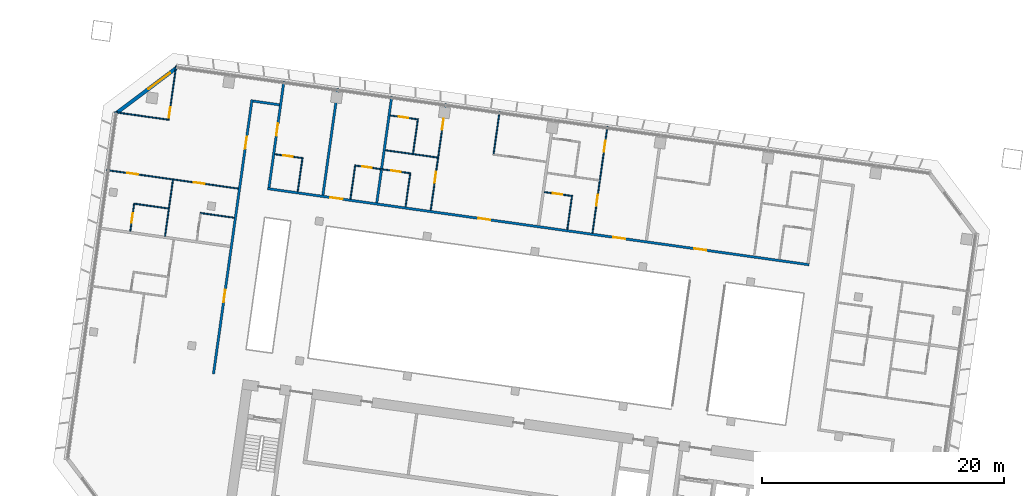
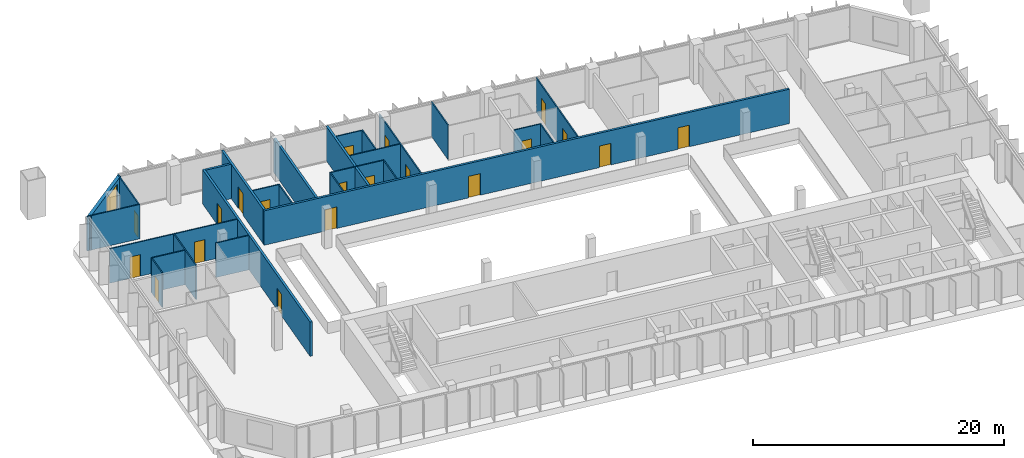
# One storey, part 16 of 27: 27 walls, 20 doors, 1 window, 21 openings.
"""IFC4 building model written with IfcOpenShell, lengths in metres."""

from ifc_helpers import new_model, si_unit, direction, frame, frame_2d, origin, place, context, subcontext, project, spatial, rectangle, extrude, material, layer, layer_set, type_object, element, fill, save


model = new_model("IFC4")

# Units and contexts
model_context = context("Model", 3, precision=1e-05, world=origin(), true_north=direction((0.0, 1.0)))
body_context = subcontext(model_context, "Body", "Model", "MODEL_VIEW")
ifc_project = project(units=[si_unit("LENGTHUNIT", "METRE"), si_unit("AREAUNIT", "SQUARE_METRE"), si_unit("VOLUMEUNIT", "CUBIC_METRE"), si_unit("PLANEANGLEUNIT", "RADIAN"), si_unit("MASSUNIT", "GRAM", prefix="KILO")], contexts=[model_context])

# Site, building, storey
site_placement = place(None, origin())
site = spatial("IfcSite", under=ifc_project, at=site_placement, CompositionType="ELEMENT")
building_placement = place(site_placement, origin())
building = spatial("IfcBuilding", under=site, at=building_placement, Name="Mirante Cascada Hotel Towers", CompositionType="ELEMENT")
storey_placement = place(building_placement, frame((0.0, 0.0, 117.7)))
storey = spatial("IfcBuildingStorey", under=building, at=storey_placement, Name="L26", CompositionType="ELEMENT", Elevation=117.7)

# Wall, openings, doors
ifc_material_1 = material(Name="Fire-rated plasterboard on metal studs")
ifc_layer_1 = layer(ifc_material_1, 0.2)
ifc_layer_set_1 = layer_set([ifc_layer_1], Name="Compartment wall 200 EI 120")
wall_type_1 = type_object("IfcWallType", Name="Compartment wall 200 EI 120", PredefinedType="PARTITIONING", material=ifc_layer_set_1)
wall_1_placement = place(storey_placement, frame((-86.638, 16.0582, 0.0), z_axis=(0.0, 0.0, 1.0), x_axis=(0.9902681, -0.1391726, 0.0)))
wall_1 = element("IfcWall", 1, at=wall_1_placement, inside=storey, type_object=wall_type_1, Name="Wall 1-L26-16", PredefinedType="PARTITIONING", context=body_context, shape_type="SweptSolid", body=[
    extrude(rectangle(XDim=45.2, YDim=0.2, at=frame_2d((22.6, 0.0))), origin(), (0.0, 0.0, 1.0), 3.35),
])
opening_1_placement = place(wall_1_placement, frame((35.6, 0.0, 0.0)))
opening_1 = element("IfcOpeningElement", 2, at=opening_1_placement, cuts=wall_1, Name="Opening D1-L26-09", PredefinedType="OPENING", context=body_context, shape_type="SweptSolid", body=[
    extrude(rectangle(XDim=1.0, YDim=2.1, at=frame_2d((0.5, 1.05))), frame((0.0, 0.1, 0.0), z_axis=(0.0, -1.0, 0.0), x_axis=(1.0, 0.0, 0.0)), (0.0, 0.0, 1.0), 0.2),
])
opening_2_placement = place(wall_1_placement, frame((28.85, 0.0, 0.0)))
opening_2 = element("IfcOpeningElement", 3, at=opening_2_placement, cuts=wall_1, Name="Opening D1-L26-10", PredefinedType="OPENING", context=body_context, shape_type="SweptSolid", body=[
    extrude(rectangle(XDim=1.0, YDim=2.1, at=frame_2d((0.5, 1.05))), frame((0.0, 0.1, 0.0), z_axis=(0.0, -1.0, 0.0), x_axis=(1.0, 0.0, 0.0)), (0.0, 0.0, 1.0), 0.2),
])
opening_3_placement = place(wall_1_placement, frame((17.6, 0.0, 0.0)))
opening_3 = element("IfcOpeningElement", 4, at=opening_3_placement, cuts=wall_1, Name="Opening D1-L26-11", PredefinedType="OPENING", context=body_context, shape_type="SweptSolid", body=[
    extrude(rectangle(XDim=1.0, YDim=2.1, at=frame_2d((0.5, 1.05))), frame((0.0, 0.1, 0.0), z_axis=(0.0, -1.0, 0.0), x_axis=(1.0, 0.0, 0.0)), (0.0, 0.0, 1.0), 0.2),
])
opening_4_placement = place(wall_1_placement, frame((5.25, 0.0, 0.0)))
opening_4 = element("IfcOpeningElement", 5, at=opening_4_placement, cuts=wall_1, Name="Opening D1-L26-12", PredefinedType="OPENING", context=body_context, shape_type="SweptSolid", body=[
    extrude(rectangle(XDim=1.0, YDim=2.1, at=frame_2d((0.5, 1.05))), frame((0.0, 0.1, 0.0), z_axis=(0.0, -1.0, 0.0), x_axis=(1.0, 0.0, 0.0)), (0.0, 0.0, 1.0), 0.2),
])
ifc_material_2 = material(Name="Fire-rated timber door leaf", Category="wood")
door_type_1 = type_object("IfcDoorType", Name="Entrance door DG1 1000x2100 EI 60", OperationType="SINGLE_SWING_LEFT", PredefinedType="DOOR", material=ifc_material_2)
door_1_placement = place(opening_1_placement, origin())
door_1 = element("IfcDoor", 6, at=door_1_placement, inside=storey, type_object=door_type_1, Name="Door D1-L26-09", OperationType="SINGLE_SWING_LEFT", OverallHeight=2.1, OverallWidth=1.0, PredefinedType="DOOR", context=body_context, shape_type="SweptSolid", body=[
    extrude(rectangle(XDim=1.0, YDim=2.1, at=frame_2d((0.5, 1.05))), frame((0.0, 0.025, 0.0), z_axis=(0.0, -1.0, 0.0), x_axis=(1.0, 0.0, 0.0)), (0.0, 0.0, 1.0), 0.05),
])
fill(opening_1, door_1)
door_2_placement = place(opening_2_placement, origin())
door_2 = element("IfcDoor", 7, at=door_2_placement, inside=storey, type_object=door_type_1, Name="Door D1-L26-10", OperationType="SINGLE_SWING_LEFT", OverallHeight=2.1, OverallWidth=1.0, PredefinedType="DOOR", context=body_context, shape_type="SweptSolid", body=[
    extrude(rectangle(XDim=1.0, YDim=2.1, at=frame_2d((0.5, 1.05))), frame((0.0, 0.025, 0.0), z_axis=(0.0, -1.0, 0.0), x_axis=(1.0, 0.0, 0.0)), (0.0, 0.0, 1.0), 0.05),
])
fill(opening_2, door_2)
door_3_placement = place(opening_3_placement, origin())
door_3 = element("IfcDoor", 8, at=door_3_placement, inside=storey, type_object=door_type_1, Name="Door D1-L26-11", OperationType="SINGLE_SWING_LEFT", OverallHeight=2.1, OverallWidth=1.0, PredefinedType="DOOR", context=body_context, shape_type="SweptSolid", body=[
    extrude(rectangle(XDim=1.0, YDim=2.1, at=frame_2d((0.5, 1.05))), frame((0.0, 0.025, 0.0), z_axis=(0.0, -1.0, 0.0), x_axis=(1.0, 0.0, 0.0)), (0.0, 0.0, 1.0), 0.05),
])
fill(opening_3, door_3)
door_4_placement = place(opening_4_placement, origin())
door_4 = element("IfcDoor", 9, at=door_4_placement, inside=storey, type_object=door_type_1, Name="Door D1-L26-12", OperationType="SINGLE_SWING_LEFT", OverallHeight=2.1, OverallWidth=1.0, PredefinedType="DOOR", context=body_context, shape_type="SweptSolid", body=[
    extrude(rectangle(XDim=1.0, YDim=2.1, at=frame_2d((0.5, 1.05))), frame((0.0, 0.025, 0.0), z_axis=(0.0, -1.0, 0.0), x_axis=(1.0, 0.0, 0.0)), (0.0, 0.0, 1.0), 0.05),
])
fill(opening_4, door_4)

# Walls
wall_2_placement = place(storey_placement, frame((-87.8424, 23.2963, 0.0), z_axis=(0.0, 0.0, 1.0), x_axis=(0.990267, -0.139181, 0.0)))
element("IfcWall", 10, at=wall_2_placement, inside=storey, type_object=wall_type_1, Name="Wall 1-L26-28", PredefinedType="PARTITIONING", context=body_context, shape_type="SweptSolid", body=[
    extrude(rectangle(XDim=2.2, YDim=0.2, at=frame_2d((1.1, 0.0))), origin(), (0.0, 0.0, 1.0), 3.35),
])
wall_3_placement = place(storey_placement, frame((-77.6126, 14.8908, 0.0), z_axis=(0.0, 0.0, 1.0), x_axis=(0.1391684, 0.9902687, 0.0)))
element("IfcWall", 11, at=wall_3_placement, inside=storey, type_object=wall_type_1, Name="Wall 1-L26-51", PredefinedType="PARTITIONING", context=body_context, shape_type="SweptSolid", body=[
    extrude(rectangle(XDim=8.9, YDim=0.2, at=frame_2d((4.45, 0.0))), origin(), (0.0, 0.0, 1.0), 3.35),
])
wall_4_placement = place(storey_placement, frame((-82.0688, 15.5171, 0.0), z_axis=(0.0, 0.0, 1.0), x_axis=(0.13917, 0.9902685, 0.0)))
element("IfcWall", 12, at=wall_4_placement, inside=storey, type_object=wall_type_1, Name="Wall 1-L26-53", PredefinedType="PARTITIONING", context=body_context, shape_type="SweptSolid", body=[
    extrude(rectangle(XDim=8.8999, YDim=0.2, at=frame_2d((4.45, 0.0))), origin(), (0.0, 0.0, 1.0), 3.35),
])

# Wall, opening, door
wall_5_placement = place(storey_placement, frame((-86.525, 16.1433, 0.0), z_axis=(0.0, 0.0, 1.0), x_axis=(0.1391684, 0.9902687, 0.0)))
wall_5 = element("IfcWall", 13, at=wall_5_placement, inside=storey, type_object=wall_type_1, Name="Wall 1-L26-55", PredefinedType="PARTITIONING", context=body_context, shape_type="SweptSolid", body=[
    extrude(rectangle(XDim=8.9, YDim=0.2, at=frame_2d((4.45, 0.0))), origin(), (0.0, 0.0, 1.0), 3.35),
])
opening_5_placement = place(wall_5_placement, frame((4.35, 0.0, 0.0)))
opening_5 = element("IfcOpeningElement", 14, at=opening_5_placement, cuts=wall_5, Name="Opening D1-L26-34", PredefinedType="OPENING", context=body_context, shape_type="SweptSolid", body=[
    extrude(rectangle(XDim=1.0, YDim=2.1, at=frame_2d((0.5, 1.05))), frame((0.0, 0.1, 0.0), z_axis=(0.0, -1.0, 0.0), x_axis=(1.0, 0.0, 0.0)), (0.0, 0.0, 1.0), 0.2),
])
door_5_placement = place(opening_5_placement, frame((1.0, 0.0, 0.0), z_axis=(0.0, 0.0, 1.0), x_axis=(-1.0, 0.0, 0.0)))
door_5 = element("IfcDoor", 15, at=door_5_placement, inside=storey, type_object=door_type_1, Name="Door D1-L26-34", OperationType="SINGLE_SWING_RIGHT", OverallHeight=2.1, OverallWidth=1.0, PredefinedType="DOOR", context=body_context, shape_type="SweptSolid", body=[
    extrude(rectangle(XDim=1.0, YDim=2.1, at=frame_2d((0.5, 1.05))), frame((0.0, 0.025, 0.0), z_axis=(0.0, -1.0, 0.0), x_axis=(1.0, 0.0, 0.0)), (0.0, 0.0, 1.0), 0.05),
])
fill(opening_5, door_5)

# Wall, openings, doors
wall_6_placement = place(storey_placement, frame((-87.9275, 23.4092, 0.0), z_axis=(0.0, 0.0, 1.0), x_axis=(-0.1391706, -0.9902684, 0.0)))
wall_6 = element("IfcWall", 16, at=wall_6_placement, inside=storey, type_object=wall_type_1, Name="Wall 1-L26-56", PredefinedType="PARTITIONING", context=body_context, shape_type="SweptSolid", body=[
    extrude(rectangle(XDim=22.9, YDim=0.2, at=frame_2d((11.45, 0.0))), origin(), (0.0, 0.0, 1.0), 3.35),
])
opening_6_placement = place(wall_6_placement, frame((15.8834, 0.0, 0.0)))
opening_6 = element("IfcOpeningElement", 17, at=opening_6_placement, cuts=wall_6, Name="Opening D1-L26-35", PredefinedType="OPENING", context=body_context, shape_type="SweptSolid", body=[
    extrude(rectangle(XDim=1.0, YDim=2.1, at=frame_2d((0.5, 1.05))), frame((0.0, 0.1, 0.0), z_axis=(0.0, -1.0, 0.0), x_axis=(1.0, 0.0, 0.0)), (0.0, 0.0, 1.0), 0.2),
])
opening_7_placement = place(wall_6_placement, frame((3.1, 0.0, 0.0)))
opening_7 = element("IfcOpeningElement", 18, at=opening_7_placement, cuts=wall_6, Name="Opening D1-L26-36", PredefinedType="OPENING", context=body_context, shape_type="SweptSolid", body=[
    extrude(rectangle(XDim=1.0, YDim=2.1, at=frame_2d((0.5, 1.05))), frame((0.0, 0.1, 0.0), z_axis=(0.0, -1.0, 0.0), x_axis=(1.0, 0.0, 0.0)), (0.0, 0.0, 1.0), 0.2),
])
door_6_placement = place(opening_6_placement, frame((1.0, 0.0, 0.0), z_axis=(0.0, 0.0, 1.0), x_axis=(-1.0, 0.0, 0.0)))
door_6 = element("IfcDoor", 19, at=door_6_placement, inside=storey, type_object=door_type_1, Name="Door D1-L26-35", OperationType="SINGLE_SWING_RIGHT", OverallHeight=2.1, OverallWidth=1.0, PredefinedType="DOOR", context=body_context, shape_type="SweptSolid", body=[
    extrude(rectangle(XDim=1.0, YDim=2.1, at=frame_2d((0.5, 1.05))), frame((0.0, 0.025, 0.0), z_axis=(0.0, -1.0, 0.0), x_axis=(1.0, 0.0, 0.0)), (0.0, 0.0, 1.0), 0.05),
])
fill(opening_6, door_6)
door_7_placement = place(opening_7_placement, frame((1.0, 0.0, 0.0), z_axis=(0.0, 0.0, 1.0), x_axis=(-1.0, 0.0, 0.0)))
door_7 = element("IfcDoor", 20, at=door_7_placement, inside=storey, type_object=door_type_1, Name="Door D1-L26-36", OperationType="SINGLE_SWING_RIGHT", OverallHeight=2.1, OverallWidth=1.0, PredefinedType="DOOR", context=body_context, shape_type="SweptSolid", body=[
    extrude(rectangle(XDim=1.0, YDim=2.1, at=frame_2d((0.5, 1.05))), frame((0.0, 0.025, 0.0), z_axis=(0.0, -1.0, 0.0), x_axis=(1.0, 0.0, 0.0)), (0.0, 0.0, 1.0), 0.05),
])
fill(opening_7, door_7)

# Walls
ifc_material_3 = material(Name="Plasterboard on metal studs")
ifc_layer_2 = layer(ifc_material_3, 0.1)
ifc_layer_set_2 = layer_set([ifc_layer_2], Name="Partition 100")
wall_type_2 = type_object("IfcWallType", Name="Partition 100", PredefinedType="PARTITIONING", material=ifc_layer_set_2)
wall_7_placement = place(storey_placement, frame((-92.2219, 14.0491, 0.0), z_axis=(0.0, 0.0, 1.0), x_axis=(0.9902697, -0.1391613, 0.0)))
element("IfcWall", 21, at=wall_7_placement, inside=storey, type_object=wall_type_2, Name="Wall 1-L26-12", PredefinedType="PARTITIONING", context=body_context, shape_type="SweptSolid", body=[
    extrude(rectangle(XDim=2.8499, YDim=0.1, at=frame_2d((1.425, 0.0))), origin(), (0.0, 0.0, 1.0), 3.35),
])
wall_8_placement = place(storey_placement, frame((-94.8461, 14.4179, 0.0), z_axis=(0.0, 0.0, 1.0), x_axis=(-0.9902683, 0.1391714, 0.0)))
element("IfcWall", 22, at=wall_8_placement, inside=storey, type_object=wall_type_2, Name="Wall 1-L26-13", PredefinedType="PARTITIONING", context=body_context, shape_type="SweptSolid", body=[
    extrude(rectangle(XDim=2.9, YDim=0.1, at=frame_2d((1.45, 0.0))), origin(), (0.0, 0.0, 1.0), 3.35),
])

# Wall, openings, doors
wall_9_placement = place(storey_placement, frame((-89.061, 16.0622, 0.0), z_axis=(0.0, 0.0, 1.0), x_axis=(-0.9902682, 0.1391721, 0.0)))
wall_9 = element("IfcWall", 23, at=wall_9_placement, inside=storey, type_object=wall_type_2, Name="Wall 1-L26-15", PredefinedType="PARTITIONING", context=body_context, shape_type="SweptSolid", body=[
    extrude(rectangle(XDim=11.0001, YDim=0.1, at=frame_2d((5.5, 0.0))), origin(), (0.0, 0.0, 1.0), 3.35),
])
opening_8_placement = place(wall_9_placement, frame((2.825, 0.0, 0.0)))
opening_8 = element("IfcOpeningElement", 24, at=opening_8_placement, cuts=wall_9, Name="Opening D1-L26-07", PredefinedType="OPENING", context=body_context, shape_type="SweptSolid", body=[
    extrude(rectangle(XDim=0.9, YDim=2.1, at=frame_2d((0.45, 1.05))), frame((0.0, 0.05, 0.0), z_axis=(0.0, -1.0, 0.0), x_axis=(1.0, 0.0, 0.0)), (0.0, 0.0, 1.0), 0.1),
])
opening_9_placement = place(wall_9_placement, frame((8.375, 0.0, 0.0)))
opening_9 = element("IfcOpeningElement", 25, at=opening_9_placement, cuts=wall_9, Name="Opening D1-L26-08", PredefinedType="OPENING", context=body_context, shape_type="SweptSolid", body=[
    extrude(rectangle(XDim=0.9, YDim=2.1, at=frame_2d((0.45, 1.05))), frame((0.0, 0.05, 0.0), z_axis=(0.0, -1.0, 0.0), x_axis=(1.0, 0.0, 0.0)), (0.0, 0.0, 1.0), 0.1),
])
ifc_material_4 = material(Name="Timber door leaf", Category="wood")
door_type_2 = type_object("IfcDoorType", Name="Room door DG3 900x2100", OperationType="SINGLE_SWING_LEFT", PredefinedType="DOOR", material=ifc_material_4)
door_8_placement = place(opening_8_placement, frame((0.9, 0.0, 0.0), z_axis=(0.0, 0.0, 1.0), x_axis=(-1.0, 0.0, 0.0)))
door_8 = element("IfcDoor", 26, at=door_8_placement, inside=storey, type_object=door_type_2, Name="Door D1-L26-07", OperationType="SINGLE_SWING_RIGHT", OverallHeight=2.1, OverallWidth=0.9, PredefinedType="DOOR", context=body_context, shape_type="SweptSolid", body=[
    extrude(rectangle(XDim=0.9, YDim=2.1, at=frame_2d((0.45, 1.05))), frame((0.0, 0.025, 0.0), z_axis=(0.0, -1.0, 0.0), x_axis=(1.0, 0.0, 0.0)), (0.0, 0.0, 1.0), 0.05),
])
fill(opening_8, door_8)
door_9_placement = place(opening_9_placement, frame((0.9, 0.0, 0.0), z_axis=(0.0, 0.0, 1.0), x_axis=(-1.0, 0.0, 0.0)))
door_9 = element("IfcDoor", 27, at=door_9_placement, inside=storey, type_object=door_type_2, Name="Door D1-L26-08", OperationType="SINGLE_SWING_RIGHT", OverallHeight=2.1, OverallWidth=0.9, PredefinedType="DOOR", context=body_context, shape_type="SweptSolid", body=[
    extrude(rectangle(XDim=0.9, YDim=2.1, at=frame_2d((0.45, 1.05))), frame((0.0, 0.025, 0.0), z_axis=(0.0, -1.0, 0.0), x_axis=(1.0, 0.0, 0.0)), (0.0, 0.0, 1.0), 0.05),
])
fill(opening_9, door_9)

# Wall, opening, door
wall_10_placement = place(storey_placement, frame((-63.7553, 15.7708, 0.0), z_axis=(0.0, 0.0, 1.0), x_axis=(0.9902643, -0.1391997, 0.0)))
wall_10 = element("IfcWall", 28, at=wall_10_placement, inside=storey, type_object=wall_type_2, Name="Wall 1-L26-18", PredefinedType="PARTITIONING", context=body_context, shape_type="SweptSolid", body=[
    extrude(rectangle(XDim=2.25, YDim=0.1, at=frame_2d((1.125, 0.0))), origin(), (0.0, 0.0, 1.0), 3.35),
])
opening_10_placement = place(wall_10_placement, frame((0.7, 0.0, 0.0)))
opening_10 = element("IfcOpeningElement", 29, at=opening_10_placement, cuts=wall_10, Name="Opening D1-L26-14", PredefinedType="OPENING", context=body_context, shape_type="SweptSolid", body=[
    extrude(rectangle(XDim=0.8, YDim=2.1, at=frame_2d((0.4, 1.05))), frame((0.0, 0.05, 0.0), z_axis=(0.0, -1.0, 0.0), x_axis=(1.0, 0.0, 0.0)), (0.0, 0.0, 1.0), 0.1),
])
ifc_material_5 = material(Name="Timber door leaf", Category="wood")
door_type_3 = type_object("IfcDoorType", Name="Bathroom door DG4 800x2100", OperationType="SINGLE_SWING_LEFT", PredefinedType="DOOR", material=ifc_material_5)
door_10_placement = place(opening_10_placement, frame((0.8, 0.0, 0.0), z_axis=(0.0, 0.0, 1.0), x_axis=(-1.0, 0.0, 0.0)))
door_10 = element("IfcDoor", 30, at=door_10_placement, inside=storey, type_object=door_type_3, Name="Door D1-L26-14", OperationType="SINGLE_SWING_RIGHT", OverallHeight=2.1, OverallWidth=0.8, PredefinedType="DOOR", context=body_context, shape_type="SweptSolid", body=[
    extrude(rectangle(XDim=0.8, YDim=2.1, at=frame_2d((0.4, 1.05))), frame((0.0, 0.025, 0.0), z_axis=(0.0, -1.0, 0.0), x_axis=(1.0, 0.0, 0.0)), (0.0, 0.0, 1.0), 0.05),
])
fill(opening_10, door_10)

# Wall, openings, doors
wall_11_placement = place(storey_placement, frame((-74.7968, 17.3226, 0.0), z_axis=(0.0, 0.0, 1.0), x_axis=(-0.9902682, 0.139172, 0.0)))
wall_11 = element("IfcWall", 31, at=wall_11_placement, inside=storey, type_object=wall_type_2, Name="Wall 1-L26-19", PredefinedType="PARTITIONING", context=body_context, shape_type="SweptSolid", body=[
    extrude(rectangle(XDim=4.6999, YDim=0.1, at=frame_2d((2.35, 0.0))), origin(), (0.0, 0.0, 1.0), 3.35),
])
opening_11_placement = place(wall_11_placement, frame((0.85, 0.0, 0.0)))
opening_11 = element("IfcOpeningElement", 32, at=opening_11_placement, cuts=wall_11, Name="Opening D1-L26-15", PredefinedType="OPENING", context=body_context, shape_type="SweptSolid", body=[
    extrude(rectangle(XDim=0.8, YDim=2.1, at=frame_2d((0.4, 1.05))), frame((0.0, 0.05, 0.0), z_axis=(0.0, -1.0, 0.0), x_axis=(1.0, 0.0, 0.0)), (0.0, 0.0, 1.0), 0.1),
])
opening_12_placement = place(wall_11_placement, frame((3.25, 0.0, 0.0)))
opening_12 = element("IfcOpeningElement", 33, at=opening_12_placement, cuts=wall_11, Name="Opening D1-L26-16", PredefinedType="OPENING", context=body_context, shape_type="SweptSolid", body=[
    extrude(rectangle(XDim=0.8, YDim=2.1, at=frame_2d((0.4, 1.05))), frame((0.0, 0.05, 0.0), z_axis=(0.0, -1.0, 0.0), x_axis=(1.0, 0.0, 0.0)), (0.0, 0.0, 1.0), 0.1),
])
door_11_placement = place(opening_11_placement, origin())
door_11 = element("IfcDoor", 34, at=door_11_placement, inside=storey, type_object=door_type_3, Name="Door D1-L26-15", OperationType="SINGLE_SWING_LEFT", OverallHeight=2.1, OverallWidth=0.8, PredefinedType="DOOR", context=body_context, shape_type="SweptSolid", body=[
    extrude(rectangle(XDim=0.8, YDim=2.1, at=frame_2d((0.4, 1.05))), frame((0.0, 0.025, 0.0), z_axis=(0.0, -1.0, 0.0), x_axis=(1.0, 0.0, 0.0)), (0.0, 0.0, 1.0), 0.05),
])
fill(opening_11, door_11)
door_12_placement = place(opening_12_placement, frame((0.8, 0.0, 0.0), z_axis=(0.0, 0.0, 1.0), x_axis=(-1.0, 0.0, 0.0)))
door_12 = element("IfcDoor", 35, at=door_12_placement, inside=storey, type_object=door_type_3, Name="Door D1-L26-16", OperationType="SINGLE_SWING_RIGHT", OverallHeight=2.1, OverallWidth=0.8, PredefinedType="DOOR", context=body_context, shape_type="SweptSolid", body=[
    extrude(rectangle(XDim=0.8, YDim=2.1, at=frame_2d((0.4, 1.05))), frame((0.0, 0.025, 0.0), z_axis=(0.0, -1.0, 0.0), x_axis=(1.0, 0.0, 0.0)), (0.0, 0.0, 1.0), 0.05),
])
fill(opening_12, door_12)

# Wall, opening, door
wall_12_placement = place(storey_placement, frame((-86.0363, 18.9022, 0.0), z_axis=(0.0, 0.0, 1.0), x_axis=(0.9902643, -0.1391997, 0.0)))
wall_12 = element("IfcWall", 36, at=wall_12_placement, inside=storey, type_object=wall_type_2, Name="Wall 1-L26-20", PredefinedType="PARTITIONING", context=body_context, shape_type="SweptSolid", body=[
    extrude(rectangle(XDim=2.25, YDim=0.1, at=frame_2d((1.125, 0.0))), origin(), (0.0, 0.0, 1.0), 3.35),
])
opening_13_placement = place(wall_12_placement, frame((0.7, 0.0, 0.0)))
opening_13 = element("IfcOpeningElement", 37, at=opening_13_placement, cuts=wall_12, Name="Opening D1-L26-17", PredefinedType="OPENING", context=body_context, shape_type="SweptSolid", body=[
    extrude(rectangle(XDim=0.8, YDim=2.1, at=frame_2d((0.4, 1.05))), frame((0.0, 0.05, 0.0), z_axis=(0.0, -1.0, 0.0), x_axis=(1.0, 0.0, 0.0)), (0.0, 0.0, 1.0), 0.1),
])
door_13_placement = place(opening_13_placement, origin())
door_13 = element("IfcDoor", 38, at=door_13_placement, inside=storey, type_object=door_type_3, Name="Door D1-L26-17", OperationType="SINGLE_SWING_LEFT", OverallHeight=2.1, OverallWidth=0.8, PredefinedType="DOOR", context=body_context, shape_type="SweptSolid", body=[
    extrude(rectangle(XDim=0.8, YDim=2.1, at=frame_2d((0.4, 1.05))), frame((0.0, 0.025, 0.0), z_axis=(0.0, -1.0, 0.0), x_axis=(1.0, 0.0, 0.0)), (0.0, 0.0, 1.0), 0.05),
])
fill(opening_13, door_13)

# Walls
wall_13_placement = place(storey_placement, frame((-72.5936, 18.6286, 0.0), z_axis=(0.0, 0.0, 1.0), x_axis=(-0.9902679, 0.1391745, 0.0)))
element("IfcWall", 39, at=wall_13_placement, inside=storey, type_object=wall_type_2, Name="Wall 1-L26-23", PredefinedType="PARTITIONING", context=body_context, shape_type="SweptSolid", body=[
    extrude(rectangle(XDim=4.3499, YDim=0.1, at=frame_2d((2.175, 0.0))), origin(), (0.0, 0.0, 1.0), 3.35),
])
wall_14_placement = place(storey_placement, frame((-99.2813, 22.3794, 0.0), z_axis=(0.0, 0.0, 1.0), x_axis=(0.9902661, -0.1391871, 0.0)))
element("IfcWall", 40, at=wall_14_placement, inside=storey, type_object=wall_type_2, Name="Wall 1-L26-24", PredefinedType="PARTITIONING", context=body_context, shape_type="SweptSolid", body=[
    extrude(rectangle(XDim=4.55, YDim=0.1, at=frame_2d((2.275, 0.0))), origin(), (0.0, 0.0, 1.0), 3.35),
])

# Wall, opening, door
wall_15_placement = place(storey_placement, frame((-74.2695, 21.7927, 0.0), z_axis=(0.0, 0.0, 1.0), x_axis=(-0.9902705, 0.1391561, 0.0)))
wall_15 = element("IfcWall", 41, at=wall_15_placement, inside=storey, type_object=wall_type_2, Name="Wall 1-L26-31", PredefinedType="PARTITIONING", context=body_context, shape_type="SweptSolid", body=[
    extrude(rectangle(XDim=2.25, YDim=0.1, at=frame_2d((1.125, 0.0))), origin(), (0.0, 0.0, 1.0), 3.35),
])
opening_14_placement = place(wall_15_placement, frame((0.75, 0.0, 0.0)))
opening_14 = element("IfcOpeningElement", 42, at=opening_14_placement, cuts=wall_15, Name="Opening D1-L26-22", PredefinedType="OPENING", context=body_context, shape_type="SweptSolid", body=[
    extrude(rectangle(XDim=0.8, YDim=2.1, at=frame_2d((0.4, 1.05))), frame((0.0, 0.05, 0.0), z_axis=(0.0, -1.0, 0.0), x_axis=(1.0, 0.0, 0.0)), (0.0, 0.0, 1.0), 0.1),
])
door_14_placement = place(opening_14_placement, origin())
door_14 = element("IfcDoor", 43, at=door_14_placement, inside=storey, type_object=door_type_3, Name="Door D1-L26-22", OperationType="SINGLE_SWING_LEFT", OverallHeight=2.1, OverallWidth=0.8, PredefinedType="DOOR", context=body_context, shape_type="SweptSolid", body=[
    extrude(rectangle(XDim=0.8, YDim=2.1, at=frame_2d((0.4, 1.05))), frame((0.0, 0.025, 0.0), z_axis=(0.0, -1.0, 0.0), x_axis=(1.0, 0.0, 0.0)), (0.0, 0.0, 1.0), 0.05),
])
fill(opening_14, door_14)

# Wall, openings, doors
wall_16_placement = place(storey_placement, frame((-59.7878, 12.3857, 0.0), z_axis=(0.0, 0.0, 1.0), x_axis=(0.13917, 0.9902685, 0.0)))
wall_16 = element("IfcWall", 44, at=wall_16_placement, inside=storey, type_object=wall_type_2, Name="Wall 1-L26-43", PredefinedType="PARTITIONING", context=body_context, shape_type="SweptSolid", body=[
    extrude(rectangle(XDim=8.8999, YDim=0.1, at=frame_2d((4.45, 0.0))), origin(), (0.0, 0.0, 1.0), 3.35),
])
opening_15_placement = place(wall_16_placement, frame((2.3, 0.0, 0.0)))
opening_15 = element("IfcOpeningElement", 45, at=opening_15_placement, cuts=wall_16, Name="Opening D1-L26-30", PredefinedType="OPENING", context=body_context, shape_type="SweptSolid", body=[
    extrude(rectangle(XDim=0.9, YDim=2.1, at=frame_2d((0.45, 1.05))), frame((0.0, 0.05, 0.0), z_axis=(0.0, -1.0, 0.0), x_axis=(1.0, 0.0, 0.0)), (0.0, 0.0, 1.0), 0.1),
])
opening_16_placement = place(wall_16_placement, frame((6.8, 0.0, 0.0)))
opening_16 = element("IfcOpeningElement", 46, at=opening_16_placement, cuts=wall_16, Name="Opening D1-L26-31", PredefinedType="OPENING", context=body_context, shape_type="SweptSolid", body=[
    extrude(rectangle(XDim=0.9, YDim=2.1, at=frame_2d((0.45, 1.05))), frame((0.0, 0.05, 0.0), z_axis=(0.0, -1.0, 0.0), x_axis=(1.0, 0.0, 0.0)), (0.0, 0.0, 1.0), 0.1),
])
door_15_placement = place(opening_15_placement, frame((0.9, 0.0, 0.0), z_axis=(0.0, 0.0, 1.0), x_axis=(-1.0, 0.0, 0.0)))
door_15 = element("IfcDoor", 47, at=door_15_placement, inside=storey, type_object=door_type_2, Name="Door D1-L26-30", OperationType="SINGLE_SWING_RIGHT", OverallHeight=2.1, OverallWidth=0.9, PredefinedType="DOOR", context=body_context, shape_type="SweptSolid", body=[
    extrude(rectangle(XDim=0.9, YDim=2.1, at=frame_2d((0.45, 1.05))), frame((0.0, 0.025, 0.0), z_axis=(0.0, -1.0, 0.0), x_axis=(1.0, 0.0, 0.0)), (0.0, 0.0, 1.0), 0.05),
])
fill(opening_15, door_15)
door_16_placement = place(opening_16_placement, frame((0.9, 0.0, 0.0), z_axis=(0.0, 0.0, 1.0), x_axis=(-1.0, 0.0, 0.0)))
door_16 = element("IfcDoor", 48, at=door_16_placement, inside=storey, type_object=door_type_2, Name="Door D1-L26-31", OperationType="SINGLE_SWING_RIGHT", OverallHeight=2.1, OverallWidth=0.9, PredefinedType="DOOR", context=body_context, shape_type="SweptSolid", body=[
    extrude(rectangle(XDim=0.9, YDim=2.1, at=frame_2d((0.45, 1.05))), frame((0.0, 0.025, 0.0), z_axis=(0.0, -1.0, 0.0), x_axis=(1.0, 0.0, 0.0)), (0.0, 0.0, 1.0), 0.05),
])
fill(opening_16, door_16)

# Walls
wall_17_placement = place(storey_placement, frame((-61.4707, 15.5002, 0.0), z_axis=(0.0, 0.0, 1.0), x_axis=(-0.1391909, -0.9902656, 0.0)))
element("IfcWall", 49, at=wall_17_placement, inside=storey, type_object=wall_type_2, Name="Wall 1-L26-44", PredefinedType="PARTITIONING", context=body_context, shape_type="SweptSolid", body=[
    extrude(rectangle(XDim=2.85, YDim=0.1, at=frame_2d((1.425, 0.0))), origin(), (0.0, 0.0, 1.0), 3.35),
])
wall_18_placement = place(storey_placement, frame((-67.9556, 18.9362, 0.0), z_axis=(0.0, 0.0, 1.0), x_axis=(0.1391573, 0.9902703, 0.0)))
element("IfcWall", 50, at=wall_18_placement, inside=storey, type_object=wall_type_2, Name="Wall 1-L26-47", PredefinedType="PARTITIONING", context=body_context, shape_type="SweptSolid", body=[
    extrude(rectangle(XDim=3.5499, YDim=0.1, at=frame_2d((1.775, 0.0))), origin(), (0.0, 0.0, 1.0), 3.35),
])

# Wall, openings, doors
wall_19_placement = place(storey_placement, frame((-71.9178, 23.0779, 0.0), z_axis=(0.0, 0.0, 1.0), x_axis=(-0.1391684, -0.9902687, 0.0)))
wall_19 = element("IfcWall", 51, at=wall_19_placement, inside=storey, type_object=wall_type_2, Name="Wall 1-L26-48", PredefinedType="PARTITIONING", context=body_context, shape_type="SweptSolid", body=[
    extrude(rectangle(XDim=8.9, YDim=0.1, at=frame_2d((4.45, 0.0))), origin(), (0.0, 0.0, 1.0), 3.35),
])
opening_17_placement = place(wall_19_placement, frame((5.7, 0.0, 0.0)))
opening_17 = element("IfcOpeningElement", 52, at=opening_17_placement, cuts=wall_19, Name="Opening D1-L26-32", PredefinedType="OPENING", context=body_context, shape_type="SweptSolid", body=[
    extrude(rectangle(XDim=0.9, YDim=2.1, at=frame_2d((0.45, 1.05))), frame((0.0, 0.05, 0.0), z_axis=(0.0, -1.0, 0.0), x_axis=(1.0, 0.0, 0.0)), (0.0, 0.0, 1.0), 0.1),
])
opening_18_placement = place(wall_19_placement, frame((1.25, 0.0, 0.0)))
opening_18 = element("IfcOpeningElement", 53, at=opening_18_placement, cuts=wall_19, Name="Opening D1-L26-33", PredefinedType="OPENING", context=body_context, shape_type="SweptSolid", body=[
    extrude(rectangle(XDim=0.9, YDim=2.1, at=frame_2d((0.45, 1.05))), frame((0.0, 0.05, 0.0), z_axis=(0.0, -1.0, 0.0), x_axis=(1.0, 0.0, 0.0)), (0.0, 0.0, 1.0), 0.1),
])
door_17_placement = place(opening_17_placement, origin())
door_17 = element("IfcDoor", 54, at=door_17_placement, inside=storey, type_object=door_type_2, Name="Door D1-L26-32", OperationType="SINGLE_SWING_LEFT", OverallHeight=2.1, OverallWidth=0.9, PredefinedType="DOOR", context=body_context, shape_type="SweptSolid", body=[
    extrude(rectangle(XDim=0.9, YDim=2.1, at=frame_2d((0.45, 1.05))), frame((0.0, 0.025, 0.0), z_axis=(0.0, -1.0, 0.0), x_axis=(1.0, 0.0, 0.0)), (0.0, 0.0, 1.0), 0.05),
])
fill(opening_17, door_17)
door_18_placement = place(opening_18_placement, origin())
door_18 = element("IfcDoor", 55, at=door_18_placement, inside=storey, type_object=door_type_2, Name="Door D1-L26-33", OperationType="SINGLE_SWING_LEFT", OverallHeight=2.1, OverallWidth=0.9, PredefinedType="DOOR", context=body_context, shape_type="SweptSolid", body=[
    extrude(rectangle(XDim=0.9, YDim=2.1, at=frame_2d((0.45, 1.05))), frame((0.0, 0.025, 0.0), z_axis=(0.0, -1.0, 0.0), x_axis=(1.0, 0.0, 0.0)), (0.0, 0.0, 1.0), 0.05),
])
fill(opening_18, door_18)

# Walls
wall_20_placement = place(storey_placement, frame((-75.236, 14.5568, 0.0), z_axis=(0.0, 0.0, 1.0), x_axis=(0.1391657, 0.9902691, 0.0)))
element("IfcWall", 56, at=wall_20_placement, inside=storey, type_object=wall_type_2, Name="Wall 1-L26-49", PredefinedType="PARTITIONING", context=body_context, shape_type="SweptSolid", body=[
    extrude(rectangle(XDim=2.75, YDim=0.1, at=frame_2d((1.375, 0.0))), origin(), (0.0, 0.0, 1.0), 3.35),
])
wall_21_placement = place(storey_placement, frame((-74.2131, 21.8352, 0.0), z_axis=(0.0, 0.0, 1.0), x_axis=(-0.1391761, -0.9902676, 0.0)))
element("IfcWall", 57, at=wall_21_placement, inside=storey, type_object=wall_type_2, Name="Wall 1-L26-50", PredefinedType="PARTITIONING", context=body_context, shape_type="SweptSolid", body=[
    extrude(rectangle(XDim=2.8999, YDim=0.1, at=frame_2d((1.45, 0.0))), origin(), (0.0, 0.0, 1.0), 3.35),
])
wall_22_placement = place(storey_placement, frame((-79.4085, 17.9202, 0.0), z_axis=(0.0, 0.0, 1.0), x_axis=(-0.1391657, -0.9902691, 0.0)))
element("IfcWall", 58, at=wall_22_placement, inside=storey, type_object=wall_type_2, Name="Wall 1-L26-52", PredefinedType="PARTITIONING", context=body_context, shape_type="SweptSolid", body=[
    extrude(rectangle(XDim=2.75, YDim=0.1, at=frame_2d((1.375, 0.0))), origin(), (0.0, 0.0, 1.0), 3.35),
])
wall_23_placement = place(storey_placement, frame((-83.7517, 18.6316, 0.0), z_axis=(0.0, 0.0, 1.0), x_axis=(-0.1391909, -0.9902656, 0.0)))
element("IfcWall", 59, at=wall_23_placement, inside=storey, type_object=wall_type_2, Name="Wall 1-L26-54", PredefinedType="PARTITIONING", context=body_context, shape_type="SweptSolid", body=[
    extrude(rectangle(XDim=2.85, YDim=0.1, at=frame_2d((1.425, 0.0))), origin(), (0.0, 0.0, 1.0), 3.35),
])
wall_24_placement = place(storey_placement, frame((-95.1167, 12.1333, 0.0), z_axis=(0.0, 0.0, 1.0), x_axis=(0.1391701, 0.9902685, 0.0)))
element("IfcWall", 60, at=wall_24_placement, inside=storey, type_object=wall_type_2, Name="Wall 1-L26-59", PredefinedType="PARTITIONING", context=body_context, shape_type="SweptSolid", body=[
    extrude(rectangle(XDim=4.6835, YDim=0.1, at=frame_2d((2.3418, 0.0))), origin(), (0.0, 0.0, 1.0), 3.35),
])

# Wall, opening, door
wall_25_placement = place(storey_placement, frame((-94.8181, 21.8026, 0.0), z_axis=(0.0, 0.0, 1.0), x_axis=(0.1391684, 0.9902687, 0.0)))
wall_25 = element("IfcWall", 61, at=wall_25_placement, inside=storey, type_object=wall_type_2, Name="Wall 1-L26-61", PredefinedType="PARTITIONING", context=body_context, shape_type="SweptSolid", body=[
    extrude(rectangle(XDim=4.45, YDim=0.1, at=frame_2d((2.225, 0.0))), origin(), (0.0, 0.0, 1.0), 3.35),
])
opening_19_placement = place(wall_25_placement, frame((0.1, 0.0, 0.0)))
opening_19 = element("IfcOpeningElement", 62, at=opening_19_placement, cuts=wall_25, Name="Opening D1-L26-40", PredefinedType="OPENING", context=body_context, shape_type="SweptSolid", body=[
    extrude(rectangle(XDim=0.9, YDim=2.1, at=frame_2d((0.45, 1.05))), frame((0.0, 0.05, 0.0), z_axis=(0.0, -1.0, 0.0), x_axis=(1.0, 0.0, 0.0)), (0.0, 0.0, 1.0), 0.1),
])
door_19_placement = place(opening_19_placement, frame((0.9, 0.0, 0.0), z_axis=(0.0, 0.0, 1.0), x_axis=(-1.0, 0.0, 0.0)))
door_19 = element("IfcDoor", 63, at=door_19_placement, inside=storey, type_object=door_type_2, Name="Door D1-L26-40", OperationType="SINGLE_SWING_RIGHT", OverallHeight=2.1, OverallWidth=0.9, PredefinedType="DOOR", context=body_context, shape_type="SweptSolid", body=[
    extrude(rectangle(XDim=0.9, YDim=2.1, at=frame_2d((0.45, 1.05))), frame((0.0, 0.025, 0.0), z_axis=(0.0, -1.0, 0.0), x_axis=(1.0, 0.0, 0.0)), (0.0, 0.0, 1.0), 0.05),
])
fill(opening_19, door_19)

wall_26_placement = place(storey_placement, frame((-97.9885, 12.5369, 0.0), z_axis=(0.0, 0.0, 1.0), x_axis=(0.1391561, 0.9902705, 0.0)))
wall_26 = element("IfcWall", 64, at=wall_26_placement, inside=storey, type_object=wall_type_2, Name="Wall 1-L26-63", PredefinedType="PARTITIONING", context=body_context, shape_type="SweptSolid", body=[
    extrude(rectangle(XDim=2.25, YDim=0.1, at=frame_2d((1.125, 0.0))), origin(), (0.0, 0.0, 1.0), 3.35),
])
opening_20_placement = place(wall_26_placement, frame((0.7, 0.0, 0.0)))
opening_20 = element("IfcOpeningElement", 65, at=opening_20_placement, cuts=wall_26, Name="Opening D1-L26-42", PredefinedType="OPENING", context=body_context, shape_type="SweptSolid", body=[
    extrude(rectangle(XDim=0.8, YDim=2.1, at=frame_2d((0.4, 1.05))), frame((0.0, 0.05, 0.0), z_axis=(0.0, -1.0, 0.0), x_axis=(1.0, 0.0, 0.0)), (0.0, 0.0, 1.0), 0.1),
])
door_20_placement = place(opening_20_placement, frame((0.8, 0.0, 0.0), z_axis=(0.0, 0.0, 1.0), x_axis=(-1.0, 0.0, 0.0)))
door_20 = element("IfcDoor", 66, at=door_20_placement, inside=storey, type_object=door_type_3, Name="Door D1-L26-42", OperationType="SINGLE_SWING_RIGHT", OverallHeight=2.1, OverallWidth=0.8, PredefinedType="DOOR", context=body_context, shape_type="SweptSolid", body=[
    extrude(rectangle(XDim=0.8, YDim=2.1, at=frame_2d((0.4, 1.05))), frame((0.0, 0.025, 0.0), z_axis=(0.0, -1.0, 0.0), x_axis=(1.0, 0.0, 0.0)), (0.0, 0.0, 1.0), 0.05),
])
fill(opening_20, door_20)

# Wall, opening, window
ifc_material_6 = material(Name="Precast concrete C40/50", Category="concrete")
ifc_layer_3 = layer(ifc_material_6, 0.3)
ifc_layer_set_3 = layer_set([ifc_layer_3], Name="Precast concrete C40/50 cladding wall 300")
wall_type_3 = type_object("IfcWallType", Name="Precast concrete C40/50 cladding wall 300", PredefinedType="STANDARD", material=ifc_layer_set_3)
wall_27_placement = place(storey_placement, frame((-99.0919, 22.3343, 0.0), z_axis=(0.0, 0.0, 1.0), x_axis=(0.7986362, 0.6018141, 0.0)))
wall_27 = element("IfcWall", 67, at=wall_27_placement, inside=storey, type_object=wall_type_3, Name="Corner cladding wall T1 L26 outer front", PredefinedType="STANDARD", context=body_context, shape_type="SweptSolid", body=[
    extrude(rectangle(XDim=6.1157, YDim=0.3, at=frame_2d((3.0578, 0.0))), origin(), (0.0, 0.0, 1.0), 3.35),
])
opening_21_placement = place(wall_27_placement, frame((3.2692, 0.0, 0.6)))
opening_21 = element("IfcOpeningElement", 68, at=opening_21_placement, cuts=wall_27, Name="Opening W1-26-04", PredefinedType="OPENING", context=body_context, shape_type="SweptSolid", body=[
    extrude(rectangle(XDim=2.2, YDim=2.4, at=frame_2d((1.1, 1.2))), frame((0.0, 0.15, 0.0), z_axis=(0.0, -1.0, 0.0), x_axis=(1.0, 0.0, 0.0)), (0.0, 0.0, 1.0), 0.3),
])
ifc_material_7 = material(Name="Aluminium frame with clear double glazing", Category="aluminium")
window_type = type_object("IfcWindowType", Name="Corner suite window 2200x2400", PartitioningType="DOUBLE_PANEL_VERTICAL", PredefinedType="WINDOW", material=ifc_material_7)
window_placement = place(opening_21_placement, origin())
window = element("IfcWindow", 69, at=window_placement, inside=storey, type_object=window_type, Name="Window W1-26-04", OverallHeight=2.4, OverallWidth=2.2, PartitioningType="SINGLE_PANEL", PredefinedType="WINDOW", context=body_context, shape_type="SweptSolid", body=[
    extrude(rectangle(XDim=2.2, YDim=2.4, at=frame_2d((1.1, 1.2))), frame((0.0, 0.03, 0.0), z_axis=(0.0, -1.0, 0.0), x_axis=(1.0, 0.0, 0.0)), (0.0, 0.0, 1.0), 0.06),
])
fill(opening_21, window)

save(model, "model.ifc")
